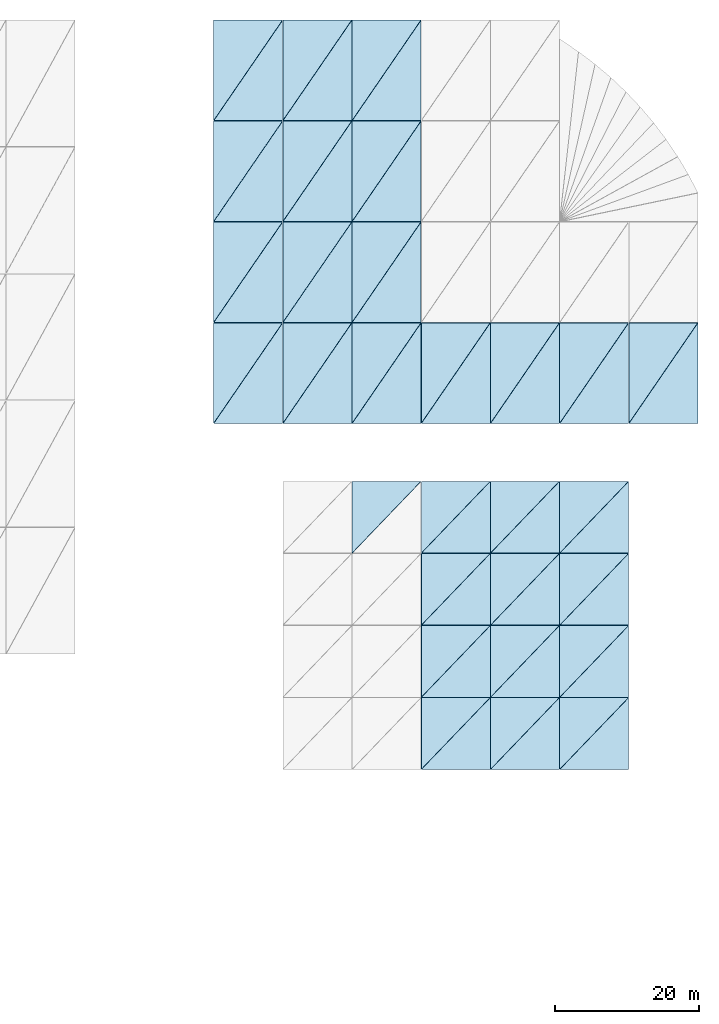
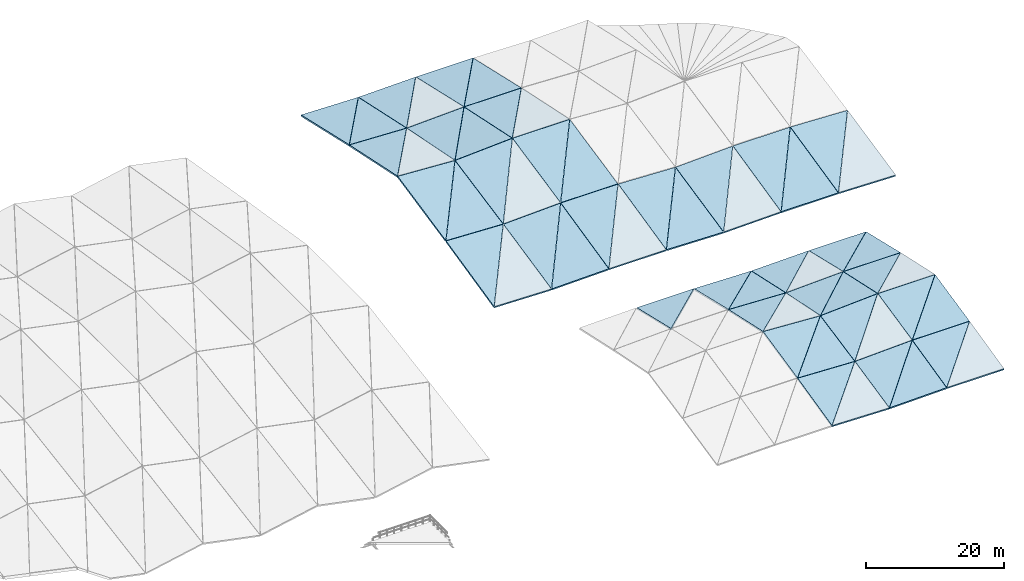
# One storey, part 18 of 26: 57 slabs.
"""IFC4 building model written with IfcOpenShell, lengths in metres."""

from ifc_helpers import new_model, si_unit, direction, frame, origin, place, context, subcontext, project, spatial, polyline, outline, extrude, material, layer, layer_set, type_object, element, save


model = new_model("IFC4")

# Units and contexts
model_context = context("Model", 3, precision=1e-05, world=origin(), true_north=direction((0.0, 1.0)))
body_context = subcontext(model_context, "Body", "Model", "MODEL_VIEW")
ifc_project = project(units=[si_unit("LENGTHUNIT", "METRE"), si_unit("AREAUNIT", "SQUARE_METRE"), si_unit("VOLUMEUNIT", "CUBIC_METRE"), si_unit("PLANEANGLEUNIT", "RADIAN"), si_unit("MASSUNIT", "GRAM", prefix="KILO")], contexts=[model_context])

# Site, building, storey
site_placement = place(None, origin())
site = spatial("IfcSite", under=ifc_project, at=site_placement, CompositionType="ELEMENT")
building_placement = place(site_placement, origin())
building = spatial("IfcBuilding", under=site, at=building_placement, Name="Danafjord Basin Convention Centre", CompositionType="ELEMENT")
storey_placement = place(building_placement, frame((0.0, 0.0, 29.39990234375)))
storey = spatial("IfcBuildingStorey", under=building, at=storey_placement, Name="RF", CompositionType="ELEMENT", Elevation=29.39990234375)

# Slabs
ifc_material = material(Name="Concrete C35/45", Category="concrete")
ifc_layer_1 = layer(ifc_material, 0.2880859375)
ifc_layer_set_1 = layer_set([ifc_layer_1], Name="Concrete C35/45")
slab_type_1 = type_object("IfcSlabType", Name="SLAB-RF-W130", PredefinedType="ROOF", material=ifc_layer_set_1)
slab_1_placement = place(storey_placement, frame((163.23193359375, 50.0166015625, -4.22021484375), z_axis=(0.040155925049, -0.197455165068, 0.97948913188), x_axis=(0.999160688834, 0.0, -0.040962396036)))
element("IfcSlab", 1, at=slab_1_placement, inside=storey, type_object=slab_type_1, Name="V3 wave-crested roof deck facet A 3-2", PredefinedType="ROOF", context=body_context, shape_type="SweptSolid", body=[
    extrude(outline(polyline([(0.0, 0.0), (9.560025789518367, 1.3877787807814457e-17), (9.477860983408064, 10.150029927729733), (0.0, 0.0)])), origin(), (0.0, 0.0, -1.0), 0.2880859375),
])
slab_2_placement = place(storey_placement, frame((163.216064453125, 50.033203125, -4.2158203125), z_axis=(0.057162919173, -0.213087656264, 0.975359447291), x_axis=(0.687831624628, 0.71650519344, 0.116223766656)))
element("IfcSlab", 2, at=slab_2_placement, inside=storey, type_object=slab_type_1, Name="V3 wave-crested roof deck facet B 3-2", PredefinedType="ROOF", context=body_context, shape_type="SweptSolid", body=[
    extrude(outline(polyline([(0.0, 0.0), (13.887122387391862, 0.0), (7.382017109896495, 7.016960799600737), (0.0, 0.0)])), origin(), (0.0, 0.0, -1.0), 0.2880859375),
])
slab_3_placement = place(storey_placement, frame((163.23193359375, 70.0166015625, -4.227294921875), z_axis=(0.040020638398, 0.213197077047, 0.97618920033), x_axis=(0.999160688834, 0.0, -0.040962396036)))
element("IfcSlab", 3, at=slab_3_placement, inside=storey, type_object=slab_type_1, Name="V3 wave-crested roof deck facet A 3-4", PredefinedType="ROOF", context=body_context, shape_type="SweptSolid", body=[
    extrude(outline(polyline([(0.0, 0.0), (9.560025789518367, -1.3877787807814457e-17), (9.649040996332852, 10.184341313251098), (0.0, 0.0)])), origin(), (0.0, 0.0, -1.0), 0.2880859375),
])
slab_4_placement = place(storey_placement, frame((163.216064453125, 70.033203125, -4.23046875), z_axis=(0.022808929344, 0.228942481891, 0.973172694196), x_axis=(0.680854783482, 0.709237509408, -0.182808421737)))
element("IfcSlab", 4, at=slab_4_placement, inside=storey, type_object=slab_type_1, Name="V3 wave-crested roof deck facet B 3-4", PredefinedType="ROOF", context=body_context, shape_type="SweptSolid", body=[
    extrude(outline(polyline([(0.0, 0.0), (14.029426222540433, 1.4432899320127035e-15), (7.484973408461326, 6.961393507548357), (0.0, 0.0)])), origin(), (0.0, 0.0, -1.0), 0.2880859375),
])
slab_5_placement = place(storey_placement, frame((172.83203125, 40.0166015625, -6.795166015625), z_axis=(-0.022808929344, -0.228942481891, 0.973172694196), x_axis=(0.999725450225, 0.0, 0.023431264865)))
element("IfcSlab", 5, at=slab_5_placement, inside=storey, type_object=slab_type_1, Name="V3 wave-crested roof deck facet A 4-1", PredefinedType="ROOF", context=body_context, shape_type="SweptSolid", body=[
    extrude(outline(polyline([(0.0, 0.0), (9.554625173320217, 6.938893903907228e-18), (9.609473554064545, 10.2216837237042), (0.0, 0.0)])), origin(), (0.0, 0.0, -1.0), 0.2880859375),
])
slab_6_placement = place(storey_placement, frame((172.81591796875, 40.033203125, -6.7919921875), z_axis=(-0.040020638398, -0.213197077047, 0.97618920033), x_axis=(0.680854783482, 0.709237509408, 0.182808421737)))
element("IfcSlab", 6, at=slab_6_placement, inside=storey, type_object=slab_type_1, Name="V3 wave-crested roof deck facet B 4-1", PredefinedType="ROOF", context=body_context, shape_type="SweptSolid", body=[
    extrude(outline(polyline([(0.0, 0.0), (14.029426222540433, 1.5543122344752192e-15), (7.454311937334948, 6.939882220379754), (0.0, 0.0)])), origin(), (0.0, 0.0, -1.0), 0.2880859375),
])
slab_7_placement = place(storey_placement, frame((172.83203125, 60.0166015625, -2.601806640625), z_axis=(-0.057162919173, 0.213087656264, 0.975359447291), x_axis=(0.998287019617, 0.0, 0.058506636063)))
element("IfcSlab", 7, at=slab_7_placement, inside=storey, type_object=slab_type_1, Name="V3 wave-crested roof deck facet A 4-3", PredefinedType="ROOF", context=body_context, shape_type="SweptSolid", body=[
    extrude(outline(polyline([(0.0, 0.0), (9.568392421636535, 1.3877787807814457e-17), (9.441209050662659, 10.184092490943202), (0.0, 0.0)])), origin(), (0.0, 0.0, -1.0), 0.2880859375),
])
slab_8_placement = place(storey_placement, frame((172.81591796875, 60.033203125, -2.60595703125), z_axis=(-0.040155925049, 0.197455165068, 0.97948913188), x_axis=(0.68783021911, 0.71650372933, -0.116241109489)))
element("IfcSlab", 8, at=slab_8_placement, inside=storey, type_object=slab_type_1, Name="V3 wave-crested roof deck facet B 4-3", PredefinedType="ROOF", context=body_context, shape_type="SweptSolid", body=[
    extrude(outline(polyline([(0.0, 0.0), (13.88715076445194, 3.3306690738754696e-16), (7.36251536819851, 6.987361880009731), (0.0, 0.0)])), origin(), (0.0, 0.0, -1.0), 0.2880859375),
])
slab_9_placement = place(storey_placement, frame((182.431884765625, 50.0166015625, -4.218505859375), z_axis=(0.0, -0.213436654327, 0.976956905185), x_axis=(1.0, 0.0, 0.0)))
element("IfcSlab", 9, at=slab_9_placement, inside=storey, type_object=slab_type_1, Name="V3 wave-crested roof deck facet A 5-2", PredefinedType="ROOF", context=body_context, shape_type="SweptSolid", body=[
    extrude(outline(polyline([(0.0, 0.0), (9.552001953125, 0.0), (9.552001953125, 10.184886620573545), (0.0, 0.0)])), origin(), (0.0, 0.0, -1.0), 0.2880859375),
])
slab_10_placement = place(storey_placement, frame((182.416015625, 50.033203125, -4.21484375), z_axis=(0.0, -0.213436654327, 0.976956905185), x_axis=(0.684081030701, 0.712598248876, 0.155681980763)))
element("IfcSlab", 10, at=slab_10_placement, inside=storey, type_object=slab_type_1, Name="V3 wave-crested roof deck facet B 5-2", PredefinedType="ROOF", context=body_context, shape_type="SweptSolid", body=[
    extrude(outline(polyline([(0.0, 0.0), (13.963260965349098, 1.4432899320127035e-15), (7.428917623996049, 6.967287736976199), (0.0, 0.0)])), origin(), (0.0, 0.0, -1.0), 0.2880859375),
])
slab_11_placement = place(storey_placement, frame((182.431884765625, 70.0166015625, -4.22607421875), z_axis=(0.0, 0.229024690002, 0.973420613799), x_axis=(1.0, 0.0, 0.0)))
element("IfcSlab", 11, at=slab_11_placement, inside=storey, type_object=slab_type_1, Name="V3 wave-crested roof deck facet A 5-4", PredefinedType="ROOF", context=body_context, shape_type="SweptSolid", body=[
    extrude(outline(polyline([(0.0, 0.0), (9.552001953125, 0.0), (9.552001953125, 10.221886789168742), (0.0, 0.0)])), origin(), (0.0, 0.0, -1.0), 0.2880859375),
])
slab_12_placement = place(storey_placement, frame((182.416015625, 70.033203125, -4.22998046875), z_axis=(0.0, 0.229024690002, 0.973420613799), x_axis=(0.682760274284, 0.711222434216, -0.167335163453)))
element("IfcSlab", 12, at=slab_12_placement, inside=storey, type_object=slab_type_1, Name="V3 wave-crested roof deck facet B 5-4", PredefinedType="ROOF", context=body_context, shape_type="SweptSolid", body=[
    extrude(outline(polyline([(0.0, 0.0), (13.99027200747313, -4.440892098500626e-16), (7.468544533999699, 6.979098227869104), (0.0, 0.0)])), origin(), (0.0, 0.0, -1.0), 0.2880859375),
])
ifc_layer_2 = layer(ifc_material, 0.27490234375)
ifc_layer_set_2 = layer_set([ifc_layer_2], Name="Concrete C35/45")
slab_type_2 = type_object("IfcSlabType", Name="SLAB-RF-W145", PredefinedType="ROOF", material=ifc_layer_set_2)
slab_13_placement = place(storey_placement, frame((134.431884765625, 102.023193359375, -1.386962890625), z_axis=(0.040177074341, -0.194874282765, 0.980005008464), x_axis=(0.999160688834, 0.0, -0.040962396036)))
element("IfcSlab", 13, at=slab_13_placement, inside=storey, type_object=slab_type_2, Name="V2 wave-crested roof deck facet A 1-2", PredefinedType="ROOF", context=body_context, shape_type="SweptSolid", body=[
    extrude(outline(polyline([(0.0, 0.0), (9.560025789518367, 1.3877787807814457e-17), (9.44655915245319, 14.202462139442714), (0.0, 0.0)])), origin(), (0.0, 0.0, -1.0), 0.27490234375),
])
slab_14_placement = place(storey_placement, frame((134.416015625, 102.046630859375, -1.38134765625), z_axis=(0.057226532236, -0.206030079181, 0.976870887314), x_axis=(0.55999887478, 0.816675164145, 0.139437930686)))
element("IfcSlab", 14, at=slab_14_placement, inside=storey, type_object=slab_type_2, Name="V2 wave-crested roof deck facet B 1-2", PredefinedType="ROOF", context=body_context, shape_type="SweptSolid", body=[
    extrude(outline(polyline([(0.0, 0.0), (17.057180618235265, 1.27675647831893e-15), (11.78609559904076, 7.985582193400705), (0.0, 0.0)])), origin(), (0.0, 0.0, -1.0), 0.27490234375),
])
slab_15_placement = place(storey_placement, frame((134.431884765625, 130.023193359375, -1.396484375), z_axis=(0.040070134521, 0.210429256711, 0.976787547136), x_axis=(0.999159643304, 0.0, -0.040987890799)))
element("IfcSlab", 15, at=slab_15_placement, inside=storey, type_object=slab_type_2, Name="V2 wave-crested roof deck facet A 1-4", PredefinedType="ROOF", context=body_context, shape_type="SweptSolid", body=[
    extrude(outline(polyline([(0.0, 0.0), (9.56003579321549, 0.0), (9.68303949284902, 14.249229021777806), (0.0, 0.0)])), origin(), (0.0, 0.0, -1.0), 0.27490234375),
])
slab_16_placement = place(storey_placement, frame((134.416015625, 130.046630859375, -1.401123046875), z_axis=(0.022822939449, 0.22176275216, 0.974833521782), x_axis=(0.554449968161, 0.8085829082, -0.196923623197)))
element("IfcSlab", 16, at=slab_16_placement, inside=storey, type_object=slab_type_2, Name="V2 wave-crested roof deck facet B 1-4", PredefinedType="ROOF", context=body_context, shape_type="SweptSolid", body=[
    extrude(outline(polyline([(0.0, 0.0), (17.227888000078725, 6.106226635438361e-16), (11.887742237591576, 7.922978996736079), (0.0, 0.0)])), origin(), (0.0, 0.0, -1.0), 0.27490234375),
])
slab_17_placement = place(storey_placement, frame((144.031982421875, 88.023193359375, -4.793701171875), z_axis=(-0.022822939449, -0.22176275216, 0.974833521782), x_axis=(0.999726048452, 0.0, 0.023405726783)))
element("IfcSlab", 17, at=slab_17_placement, inside=storey, type_object=slab_type_2, Name="V2 wave-crested roof deck facet A 2-1", PredefinedType="ROOF", context=body_context, shape_type="SweptSolid", body=[
    extrude(outline(polyline([(0.0, 0.0), (9.554619455914008, -6.938893903907228e-18), (9.628790924088431, 14.285885001757805), (0.0, 0.0)])), origin(), (0.0, 0.0, -1.0), 0.27490234375),
])
slab_18_placement = place(storey_placement, frame((144.01611328125, 88.046630859375, -4.789306640625), z_axis=(-0.040070134521, -0.210429256711, 0.976787547136), x_axis=(0.554448420834, 0.808580651654, 0.196937244839)))
element("IfcSlab", 18, at=slab_18_placement, inside=storey, type_object=slab_type_2, Name="V2 wave-crested roof deck facet B 2-1", PredefinedType="ROOF", context=body_context, shape_type="SweptSolid", body=[
    extrude(outline(polyline([(0.0, 0.0), (17.227936078797967, 1.9984014443252818e-15), (11.85467466690546, 7.907107319812241), (0.0, 0.0)])), origin(), (0.0, 0.0, -1.0), 0.27490234375),
])
slab_19_placement = place(storey_placement, frame((144.031982421875, 116.023193359375, 0.9970703125), z_axis=(-0.057226734088, 0.206013685175, 0.976874332976), x_axis=(0.998288509554, 0.0, 0.058481208023)))
element("IfcSlab", 19, at=slab_19_placement, inside=storey, type_object=slab_type_2, Name="V2 wave-crested roof deck facet A 2-3", PredefinedType="ROOF", context=body_context, shape_type="SweptSolid", body=[
    extrude(outline(polyline([(0.0, 0.0), (9.568378140893847, 1.3877787807814457e-17), (9.396575314687711, 14.235540794827859), (0.0, 0.0)])), origin(), (0.0, 0.0, -1.0), 0.27490234375),
])
slab_20_placement = place(storey_placement, frame((144.01611328125, 116.046630859375, 0.991455078125), z_axis=(-0.040202081922, 0.194874086591, 0.980004021923), x_axis=(0.559999992363, 0.816676793974, -0.139423895862)))
element("IfcSlab", 20, at=slab_20_placement, inside=storey, type_object=slab_type_2, Name="V2 wave-crested roof deck facet B 2-3", PredefinedType="ROOF", context=body_context, shape_type="SweptSolid", body=[
    extrude(outline(polyline([(0.0, 0.0), (17.057146577484954, -5.551115123125783e-16), (11.762658211190768, 7.960067669733524), (0.0, 0.0)])), origin(), (0.0, 0.0, -1.0), 0.27490234375),
])
slab_21_placement = place(storey_placement, frame((153.632080078125, 102.023193359375, -1.38525390625), z_axis=(0.0, -0.206368271542, 0.978474392358), x_axis=(1.0, 0.0, 0.0)))
element("IfcSlab", 21, at=slab_21_placement, inside=storey, type_object=slab_type_2, Name="V2 wave-crested roof deck facet A 3-2", PredefinedType="ROOF", context=body_context, shape_type="SweptSolid", body=[
    extrude(outline(polyline([(0.0, 0.0), (9.552001953125, 0.0), (9.552001953125, 14.236627846413853), (0.0, 0.0)])), origin(), (0.0, 0.0, -1.0), 0.27490234375),
])
slab_22_placement = place(storey_placement, frame((153.615966796875, 102.046630859375, -1.38037109375), z_axis=(0.0, -0.206368271542, 0.978474392358), x_axis=(0.557157683082, 0.812531708148, 0.171369598932)))
element("IfcSlab", 22, at=slab_22_placement, inside=storey, type_object=slab_type_2, Name="V2 wave-crested roof deck facet B 3-2", PredefinedType="ROOF", context=body_context, shape_type="SweptSolid", body=[
    extrude(outline(polyline([(0.0, 0.0), (17.14416267275221, 2.1649348980190553e-15), (11.822191395757985, 7.932046585803205), (0.0, 0.0)])), origin(), (0.0, 0.0, -1.0), 0.27490234375),
])
slab_23_placement = place(storey_placement, frame((153.632080078125, 130.023193359375, -1.3955078125), z_axis=(0.0, 0.221804282724, 0.975091206075), x_axis=(1.0, 0.0, 0.0)))
element("IfcSlab", 23, at=slab_23_placement, inside=storey, type_object=slab_type_2, Name="V2 wave-crested roof deck facet A 3-4", PredefinedType="ROOF", context=body_context, shape_type="SweptSolid", body=[
    extrude(outline(polyline([(0.0, 0.0), (9.552001953125, 0.0), (9.552001953125, 14.286023393973778), (0.0, 0.0)])), origin(), (0.0, 0.0, -1.0), 0.27490234375),
])
slab_24_placement = place(storey_placement, frame((153.615966796875, 130.046630859375, -1.400634765625), z_axis=(0.0, 0.221820531352, 0.975087509853), x_axis=(0.555825664285, 0.810589156621, -0.184399159679)))
element("IfcSlab", 24, at=slab_24_placement, inside=storey, type_object=slab_type_2, Name="V2 wave-crested roof deck facet B 3-4", PredefinedType="ROOF", context=body_context, shape_type="SweptSolid", body=[
    extrude(outline(polyline([(0.0, 0.0), (17.185248121649092, -2.220446049250313e-16), (11.876000290797966, 7.940568542812689), (0.0, 0.0)])), origin(), (0.0, 0.0, -1.0), 0.27490234375),
])
slab_25_placement = place(storey_placement, frame((163.23193359375, 88.023193359375, -4.570556640625), z_axis=(0.022906125536, -0.210526769045, 0.977319696378), x_axis=(0.999725450225, 0.0, -0.023431264865)))
element("IfcSlab", 25, at=slab_25_placement, inside=storey, type_object=slab_type_2, Name="V2 wave-crested roof deck facet A 4-1", PredefinedType="ROOF", context=body_context, shape_type="SweptSolid", body=[
    extrude(outline(polyline([(0.0, 0.0), (9.554625173320217, -6.938893903907228e-18), (9.484314217153285, 14.249535035700598), (0.0, 0.0)])), origin(), (0.0, 0.0, -1.0), 0.27490234375),
])
slab_26_placement = place(storey_placement, frame((163.216064453125, 88.046630859375, -4.56494140625), z_axis=(0.03994372084, -0.22162726763, 0.974313016134), x_axis=(0.558031226276, 0.813805641121, 0.162239110515)))
element("IfcSlab", 26, at=slab_26_placement, inside=storey, type_object=slab_type_2, Name="V2 wave-crested roof deck facet B 4-1", PredefinedType="ROOF", context=body_context, shape_type="SweptSolid", body=[
    extrude(outline(polyline([(0.0, 0.0), (17.11732516631669, -4.996003610813204e-16), (11.85054289219964, 7.978414477407317), (0.0, 0.0)])), origin(), (0.0, 0.0, -1.0), 0.27490234375),
])
slab_27_placement = place(storey_placement, frame((182.431884765625, 88.023193359375, -4.569580078125), z_axis=(0.0, -0.221820531352, 0.975087509853), x_axis=(1.0, 0.0, 0.0)))
element("IfcSlab", 27, at=slab_27_placement, inside=storey, type_object=slab_type_2, Name="V2 wave-crested roof deck facet A 6-1", PredefinedType="ROOF", context=body_context, shape_type="SweptSolid", body=[
    extrude(outline(polyline([(0.0, 0.0), (9.552001953125, 0.0), (9.552001953125, 14.286077547393468), (0.0, 0.0)])), origin(), (0.0, 0.0, -1.0), 0.27490234375),
])
slab_28_placement = place(storey_placement, frame((182.416015625, 88.046630859375, -4.564208984375), z_axis=(0.0, -0.221804282724, 0.975091206075), x_axis=(0.555827120303, 0.810591280007, 0.184385436279)))
element("IfcSlab", 28, at=slab_28_placement, inside=storey, type_object=slab_type_2, Name="V2 wave-crested roof deck facet B 6-1", PredefinedType="ROOF", context=body_context, shape_type="SweptSolid", body=[
    extrude(outline(polyline([(0.0, 0.0), (17.185203103998216, 4.996003610813204e-16), (11.875941365259948, 7.940559243659968), (0.0, 0.0)])), origin(), (0.0, 0.0, -1.0), 0.27490234375),
])
slab_29_placement = place(storey_placement, frame((153.615966796875, 70.033203125, -4.22998046875), z_axis=(0.0, 0.229024690002, 0.973420613799), x_axis=(0.682760274284, 0.711222434216, -0.167335163453)))
element("IfcSlab", 29, at=slab_29_placement, inside=storey, type_object=slab_type_2, Name="V3 wave-crested roof deck facet B 2-4", PredefinedType="ROOF", context=body_context, shape_type="SweptSolid", body=[
    extrude(outline(polyline([(0.0, 0.0), (13.99027200747313, -4.440892098500626e-16), (7.468544533999699, 6.979098227869104), (0.0, 0.0)])), origin(), (0.0, 0.0, -1.0), 0.27490234375),
])
slab_30_placement = place(storey_placement, frame((163.23193359375, 40.0166015625, -6.572021484375), z_axis=(0.022891973403, -0.213312101847, 0.976715877192), x_axis=(0.999725450225, 0.0, -0.023431264865)))
element("IfcSlab", 30, at=slab_30_placement, inside=storey, type_object=slab_type_2, Name="V3 wave-crested roof deck facet A 3-1", PredefinedType="ROOF", context=body_context, shape_type="SweptSolid", body=[
    extrude(outline(polyline([(0.0, 0.0), (9.554625173320217, -6.938893903907228e-18), (9.503706792322587, 10.184603036462143), (0.0, 0.0)])), origin(), (0.0, 0.0, -1.0), 0.27490234375),
])
slab_31_placement = place(storey_placement, frame((163.216064453125, 40.033203125, -6.567626953125), z_axis=(0.039875613224, -0.228819922031, 0.972651725312), x_axis=(0.685711454369, 0.714296639853, 0.13992895212)))
element("IfcSlab", 31, at=slab_31_placement, inside=storey, type_object=slab_type_2, Name="V3 wave-crested roof deck facet B 3-1", PredefinedType="ROOF", context=body_context, shape_type="SweptSolid", body=[
    extrude(outline(polyline([(0.0, 0.0), (13.930060366156079, -3.3306690738754696e-16), (7.434939611032151, 7.014805733063081), (0.0, 0.0)])), origin(), (0.0, 0.0, -1.0), 0.27490234375),
])
slab_32_placement = place(storey_placement, frame((163.23193359375, 60.0166015625, -2.04248046875), z_axis=(0.057356707218, 0.197289232757, 0.978666013906), x_axis=(0.998287019617, 0.0, -0.058506636063)))
element("IfcSlab", 32, at=slab_32_placement, inside=storey, type_object=slab_type_2, Name="V3 wave-crested roof deck facet A 3-3", PredefinedType="ROOF", context=body_context, shape_type="SweptSolid", body=[
    extrude(outline(polyline([(0.0, 0.0), (9.568392421636535, 1.3877787807814457e-17), (9.685748506084128, 10.149684041319489), (0.0, 0.0)])), origin(), (0.0, 0.0, -1.0), 0.27490234375),
])
slab_33_placement = place(storey_placement, frame((163.216064453125, 60.033203125, -2.04541015625), z_axis=(0.040020025212, 0.213265665505, 0.976174243411), x_axis=(0.680848284761, 0.709230739776, -0.182858882461)))
element("IfcSlab", 33, at=slab_33_placement, inside=storey, type_object=slab_type_2, Name="V3 wave-crested roof deck facet B 3-3", PredefinedType="ROOF", context=body_context, shape_type="SweptSolid", body=[
    extrude(outline(polyline([(0.0, 0.0), (14.029560133906806, -1.6653345369377348e-16), (7.454488163997141, 6.939922311291712), (0.0, 0.0)])), origin(), (0.0, 0.0, -1.0), 0.27490234375),
])
slab_34_placement = place(storey_placement, frame((172.83203125, 50.0166015625, -4.61083984375), z_axis=(-0.040020025212, -0.213265665505, 0.976174243411), x_axis=(0.999160688834, 0.0, 0.040962396036)))
element("IfcSlab", 34, at=slab_34_placement, inside=storey, type_object=slab_type_2, Name="V3 wave-crested roof deck facet A 4-2", PredefinedType="ROOF", context=body_context, shape_type="SweptSolid", body=[
    extrude(outline(polyline([(0.0, 0.0), (9.560025789518367, -1.3877787807814457e-17), (9.649070998087762, 10.18449735749236), (0.0, 0.0)])), origin(), (0.0, 0.0, -1.0), 0.27490234375),
])
slab_35_placement = place(storey_placement, frame((172.81591796875, 50.033203125, -4.608154296875), z_axis=(-0.057356707218, -0.197289232757, 0.978666013906), x_axis=(0.68084611815, 0.709228482845, 0.182875702381)))
element("IfcSlab", 35, at=slab_35_placement, inside=storey, type_object=slab_type_2, Name="V3 wave-crested roof deck facet B 4-2", PredefinedType="ROOF", context=body_context, shape_type="SweptSolid", body=[
    extrude(outline(polyline([(0.0, 0.0), (14.029604779241872, 4.163336342344337e-16), (7.423784867577846, 6.922230625246066), (0.0, 0.0)])), origin(), (0.0, 0.0, -1.0), 0.27490234375),
])
slab_36_placement = place(storey_placement, frame((172.83203125, 70.0166015625, -4.618408203125), z_axis=(-0.039875613224, 0.228819922031, 0.972651725312), x_axis=(0.999160688834, 0.0, 0.040962396036)))
element("IfcSlab", 36, at=slab_36_placement, inside=storey, type_object=slab_type_2, Name="V3 wave-crested roof deck facet A 4-4", PredefinedType="ROOF", context=body_context, shape_type="SweptSolid", body=[
    extrude(outline(polyline([(0.0, 0.0), (9.560025789518367, 1.3877787807814457e-17), (9.464140180829762, 10.221381141624454), (0.0, 0.0)])), origin(), (0.0, 0.0, -1.0), 0.27490234375),
])
slab_37_placement = place(storey_placement, frame((172.81591796875, 70.033203125, -4.622802734375), z_axis=(-0.022891973403, 0.213312101847, 0.976715877192), x_axis=(0.685711454369, 0.714296639853, -0.13992895212)))
element("IfcSlab", 37, at=slab_37_placement, inside=storey, type_object=slab_type_2, Name="V3 wave-crested roof deck facet B 4-4", PredefinedType="ROOF", context=body_context, shape_type="SweptSolid", body=[
    extrude(outline(polyline([(0.0, 0.0), (13.930060366156079, 7.216449660063518e-16), (7.411470082197626, 6.985616859843291), (0.0, 0.0)])), origin(), (0.0, 0.0, -1.0), 0.27490234375),
])
slab_38_placement = place(storey_placement, frame((182.431884765625, 40.0166015625, -6.571044921875), z_axis=(0.0, -0.229024690002, 0.973420613799), x_axis=(1.0, 0.0, 0.0)))
element("IfcSlab", 38, at=slab_38_placement, inside=storey, type_object=slab_type_2, Name="V3 wave-crested roof deck facet A 5-1", PredefinedType="ROOF", context=body_context, shape_type="SweptSolid", body=[
    extrude(outline(polyline([(0.0, 0.0), (9.552001953125, 0.0), (9.552001953125, 10.221886789168742), (0.0, 0.0)])), origin(), (0.0, 0.0, -1.0), 0.27490234375),
])
slab_39_placement = place(storey_placement, frame((182.416015625, 40.033203125, -6.567138671875), z_axis=(0.0, -0.229024690002, 0.973420613799), x_axis=(0.682760274284, 0.711222434216, 0.167335163453)))
element("IfcSlab", 39, at=slab_39_placement, inside=storey, type_object=slab_type_2, Name="V3 wave-crested roof deck facet B 5-1", PredefinedType="ROOF", context=body_context, shape_type="SweptSolid", body=[
    extrude(outline(polyline([(0.0, 0.0), (13.99027200747313, -4.440892098500626e-16), (7.468544533999699, 6.979098227869104), (0.0, 0.0)])), origin(), (0.0, 0.0, -1.0), 0.27490234375),
])
slab_40_placement = place(storey_placement, frame((182.431884765625, 60.0166015625, -2.041015625), z_axis=(0.0, 0.213436654327, 0.976956905185), x_axis=(1.0, 0.0, 0.0)))
element("IfcSlab", 40, at=slab_40_placement, inside=storey, type_object=slab_type_2, Name="V3 wave-crested roof deck facet A 5-3", PredefinedType="ROOF", context=body_context, shape_type="SweptSolid", body=[
    extrude(outline(polyline([(0.0, 0.0), (9.552001953125, 0.0), (9.552001953125, 10.184886620573545), (0.0, 0.0)])), origin(), (0.0, 0.0, -1.0), 0.27490234375),
])
slab_41_placement = place(storey_placement, frame((182.416015625, 60.033203125, -2.044677734375), z_axis=(0.0, 0.213436654327, 0.976956905185), x_axis=(0.684081030701, 0.712598248876, -0.155681980763)))
element("IfcSlab", 41, at=slab_41_placement, inside=storey, type_object=slab_type_2, Name="V3 wave-crested roof deck facet B 5-3", PredefinedType="ROOF", context=body_context, shape_type="SweptSolid", body=[
    extrude(outline(polyline([(0.0, 0.0), (13.963260965349098, 1.4432899320127035e-15), (7.428917623996049, 6.967287736976199), (0.0, 0.0)])), origin(), (0.0, 0.0, -1.0), 0.27490234375),
])
ifc_layer_3 = layer(ifc_material, 0.264892578125)
ifc_layer_set_3 = layer_set([ifc_layer_3], Name="Concrete C35/45")
slab_type_3 = type_object("IfcSlabType", Name="SLAB-RF-W160", PredefinedType="ROOF", material=ifc_layer_set_3)
slab_42_placement = place(storey_placement, frame((134.431884765625, 88.023193359375, -4.570556640625), z_axis=(0.022906125536, -0.210526769045, 0.977319696378), x_axis=(0.999725450225, 0.0, -0.023431264865)))
element("IfcSlab", 42, at=slab_42_placement, inside=storey, type_object=slab_type_3, Name="V2 wave-crested roof deck facet A 1-1", PredefinedType="ROOF", context=body_context, shape_type="SweptSolid", body=[
    extrude(outline(polyline([(0.0, 0.0), (9.554625173320217, -6.938893903907228e-18), (9.484314217153285, 14.249535035700598), (0.0, 0.0)])), origin(), (0.0, 0.0, -1.0), 0.264892578125),
])
slab_43_placement = place(storey_placement, frame((134.416015625, 88.046630859375, -4.56494140625), z_axis=(0.03994372084, -0.22162726763, 0.974313016134), x_axis=(0.558031226276, 0.813805641121, 0.162239110515)))
element("IfcSlab", 43, at=slab_43_placement, inside=storey, type_object=slab_type_3, Name="V2 wave-crested roof deck facet B 1-1", PredefinedType="ROOF", context=body_context, shape_type="SweptSolid", body=[
    extrude(outline(polyline([(0.0, 0.0), (17.11732516631669, -4.996003610813204e-16), (11.85054289219964, 7.978414477407317), (0.0, 0.0)])), origin(), (0.0, 0.0, -1.0), 0.264892578125),
])
slab_44_placement = place(storey_placement, frame((134.431884765625, 116.023193359375, 1.55615234375), z_axis=(0.057386865014, 0.194710346981, 0.979180590342), x_axis=(0.998287019617, 0.0, -0.058506636063)))
element("IfcSlab", 44, at=slab_44_placement, inside=storey, type_object=slab_type_3, Name="V2 wave-crested roof deck facet A 1-3", PredefinedType="ROOF", context=body_context, shape_type="SweptSolid", body=[
    extrude(outline(polyline([(0.0, 0.0), (9.568392421636535, 0.0), (9.730456946240038, 14.20199072629945), (0.0, 0.0)])), origin(), (0.0, 0.0, -1.0), 0.264892578125),
])
slab_45_placement = place(storey_placement, frame((134.416015625, 116.046630859375, 1.552001953125), z_axis=(0.040082087708, 0.206202431982, 0.977688080775), x_axis=(0.554845883553, 0.809160291982, -0.193405448176)))
element("IfcSlab", 45, at=slab_45_placement, inside=storey, type_object=slab_type_3, Name="V2 wave-crested roof deck facet B 1-3", PredefinedType="ROOF", context=body_context, shape_type="SweptSolid", body=[
    extrude(outline(polyline([(0.0, 0.0), (17.21559488186891, -8.326672684688674e-16), (11.839968042783239, 7.905487283093815), (0.0, 0.0)])), origin(), (0.0, 0.0, -1.0), 0.264892578125),
])
slab_46_placement = place(storey_placement, frame((144.031982421875, 102.023193359375, -1.777587890625), z_axis=(-0.04010717806, -0.206185818896, 0.977690555521), x_axis=(0.999159643304, 0.0, 0.040987890799)))
element("IfcSlab", 46, at=slab_46_placement, inside=storey, type_object=slab_type_3, Name="V2 wave-crested roof deck facet A 2-2", PredefinedType="ROOF", context=body_context, shape_type="SweptSolid", body=[
    extrude(outline(polyline([(0.0, 0.0), (9.56003579321549, 0.0), (9.680447729246263, 14.23606823873649), (0.0, 0.0)])), origin(), (0.0, 0.0, -1.0), 0.264892578125),
])
slab_47_placement = place(storey_placement, frame((144.01611328125, 102.046630859375, -1.773681640625), z_axis=(-0.057386865014, -0.194710346981, 0.979180590342), x_axis=(0.554844361698, 0.809158072582, 0.193419099021)))
element("IfcSlab", 47, at=slab_47_placement, inside=storey, type_object=slab_type_3, Name="V2 wave-crested roof deck facet B 2-2", PredefinedType="ROOF", context=body_context, shape_type="SweptSolid", body=[
    extrude(outline(polyline([(0.0, 0.0), (17.21564210166227, -7.216449660063518e-16), (11.807488867896224, 7.893415745704598), (0.0, 0.0)])), origin(), (0.0, 0.0, -1.0), 0.264892578125),
])
slab_48_placement = place(storey_placement, frame((144.031982421875, 130.023193359375, -1.787841796875), z_axis=(-0.039968432376, 0.221643284095, 0.974308359314), x_axis=(0.999159643304, 0.0, 0.040987890799)))
element("IfcSlab", 48, at=slab_48_placement, inside=storey, type_object=slab_type_3, Name="V2 wave-crested roof deck facet A 2-4", PredefinedType="ROOF", context=body_context, shape_type="SweptSolid", body=[
    extrude(outline(polyline([(0.0, 0.0), (9.56003579321549, -1.3877787807814457e-17), (9.430147408799352, 14.2854870654708), (0.0, 0.0)])), origin(), (0.0, 0.0, -1.0), 0.264892578125),
])
slab_49_placement = place(storey_placement, frame((144.01611328125, 130.046630859375, -1.793701171875), z_axis=(-0.022906125536, 0.210526769045, 0.977319696378), x_axis=(0.558032517497, 0.813807524175, -0.162225223106)))
element("IfcSlab", 49, at=slab_49_placement, inside=storey, type_object=slab_type_3, Name="V2 wave-crested roof deck facet B 2-4", PredefinedType="ROOF", context=body_context, shape_type="SweptSolid", body=[
    extrude(outline(polyline([(0.0, 0.0), (17.11728555885409, 3.3306690738754696e-16), (11.823276350482963, 7.953887647202851), (0.0, 0.0)])), origin(), (0.0, 0.0, -1.0), 0.264892578125),
])
slab_50_placement = place(storey_placement, frame((153.632080078125, 88.023193359375, -4.569580078125), z_axis=(0.0, -0.221804282724, 0.975091206075), x_axis=(1.0, 0.0, 0.0)))
element("IfcSlab", 50, at=slab_50_placement, inside=storey, type_object=slab_type_3, Name="V2 wave-crested roof deck facet A 3-1", PredefinedType="ROOF", context=body_context, shape_type="SweptSolid", body=[
    extrude(outline(polyline([(0.0, 0.0), (9.552001953125, 0.0), (9.552001953125, 14.286023393973778), (0.0, 0.0)])), origin(), (0.0, 0.0, -1.0), 0.264892578125),
])
slab_51_placement = place(storey_placement, frame((153.615966796875, 88.046630859375, -4.564208984375), z_axis=(0.0, -0.221804282724, 0.975091206075), x_axis=(0.555827120303, 0.810591280007, 0.184385436279)))
element("IfcSlab", 51, at=slab_51_placement, inside=storey, type_object=slab_type_3, Name="V2 wave-crested roof deck facet B 3-1", PredefinedType="ROOF", context=body_context, shape_type="SweptSolid", body=[
    extrude(outline(polyline([(0.0, 0.0), (17.185203103998216, 4.996003610813204e-16), (11.875941365259948, 7.940559243659968), (0.0, 0.0)])), origin(), (0.0, 0.0, -1.0), 0.264892578125),
])
slab_52_placement = place(storey_placement, frame((153.632080078125, 116.023193359375, 1.5576171875), z_axis=(0.0, 0.206368271542, 0.978474392358), x_axis=(1.0, 0.0, 0.0)))
element("IfcSlab", 52, at=slab_52_placement, inside=storey, type_object=slab_type_3, Name="V2 wave-crested roof deck facet A 3-3", PredefinedType="ROOF", context=body_context, shape_type="SweptSolid", body=[
    extrude(outline(polyline([(0.0, 0.0), (9.552001953125, 0.0), (9.552001953125, 14.236627846413853), (0.0, 0.0)])), origin(), (0.0, 0.0, -1.0), 0.264892578125),
])
slab_53_placement = place(storey_placement, frame((153.615966796875, 116.046630859375, 1.552734375), z_axis=(0.0, 0.206368271542, 0.978474392358), x_axis=(0.557157683082, 0.812531708148, -0.171369598932)))
element("IfcSlab", 53, at=slab_53_placement, inside=storey, type_object=slab_type_3, Name="V2 wave-crested roof deck facet B 3-3", PredefinedType="ROOF", context=body_context, shape_type="SweptSolid", body=[
    extrude(outline(polyline([(0.0, 0.0), (17.14416267275221, 2.1649348980190553e-15), (11.822191395757985, 7.932046585803205), (0.0, 0.0)])), origin(), (0.0, 0.0, -1.0), 0.264892578125),
])
slab_54_placement = place(storey_placement, frame((172.83203125, 88.023193359375, -4.793701171875), z_axis=(-0.022822939449, -0.22176275216, 0.974833521782), x_axis=(0.999726048452, 0.0, 0.023405726783)))
element("IfcSlab", 54, at=slab_54_placement, inside=storey, type_object=slab_type_3, Name="V2 wave-crested roof deck facet A 5-1", PredefinedType="ROOF", context=body_context, shape_type="SweptSolid", body=[
    extrude(outline(polyline([(0.0, 0.0), (9.554619455914008, -6.938893903907228e-18), (9.628790924088431, 14.285885001757805), (0.0, 0.0)])), origin(), (0.0, 0.0, -1.0), 0.264892578125),
])
slab_55_placement = place(storey_placement, frame((172.81591796875, 88.046630859375, -4.789306640625), z_axis=(-0.040070134521, -0.210429256711, 0.976787547136), x_axis=(0.554448420834, 0.808580651654, 0.196937244839)))
element("IfcSlab", 55, at=slab_55_placement, inside=storey, type_object=slab_type_3, Name="V2 wave-crested roof deck facet B 5-1", PredefinedType="ROOF", context=body_context, shape_type="SweptSolid", body=[
    extrude(outline(polyline([(0.0, 0.0), (17.227936078797967, 1.9984014443252818e-15), (11.85467466690546, 7.907107319812241), (0.0, 0.0)])), origin(), (0.0, 0.0, -1.0), 0.264892578125),
])
slab_56_placement = place(storey_placement, frame((192.031982421875, 88.023193359375, -4.570556640625), z_axis=(0.022906125536, -0.210526769045, 0.977319696378), x_axis=(0.999725450225, 0.0, -0.023431264865)))
element("IfcSlab", 56, at=slab_56_placement, inside=storey, type_object=slab_type_3, Name="V2 wave-crested roof deck facet A 7-1", PredefinedType="ROOF", context=body_context, shape_type="SweptSolid", body=[
    extrude(outline(polyline([(0.0, 0.0), (9.554625173320217, -6.938893903907228e-18), (9.484314217153285, 14.249535035700598), (0.0, 0.0)])), origin(), (0.0, 0.0, -1.0), 0.264892578125),
])
slab_57_placement = place(storey_placement, frame((192.01611328125, 88.046630859375, -4.56494140625), z_axis=(0.039968432376, -0.221643284095, 0.974308359314), x_axis=(0.558031226276, 0.813805641121, 0.162239110515)))
element("IfcSlab", 57, at=slab_57_placement, inside=storey, type_object=slab_type_3, Name="V2 wave-crested roof deck facet B 7-1", PredefinedType="ROOF", context=body_context, shape_type="SweptSolid", body=[
    extrude(outline(polyline([(0.0, 0.0), (17.11732516631669, 1.1102230246251565e-16), (11.85058250135748, 7.978452611168391), (0.0, 0.0)])), origin(), (0.0, 0.0, -1.0), 0.264892578125),
])

save(model, "model.ifc")
